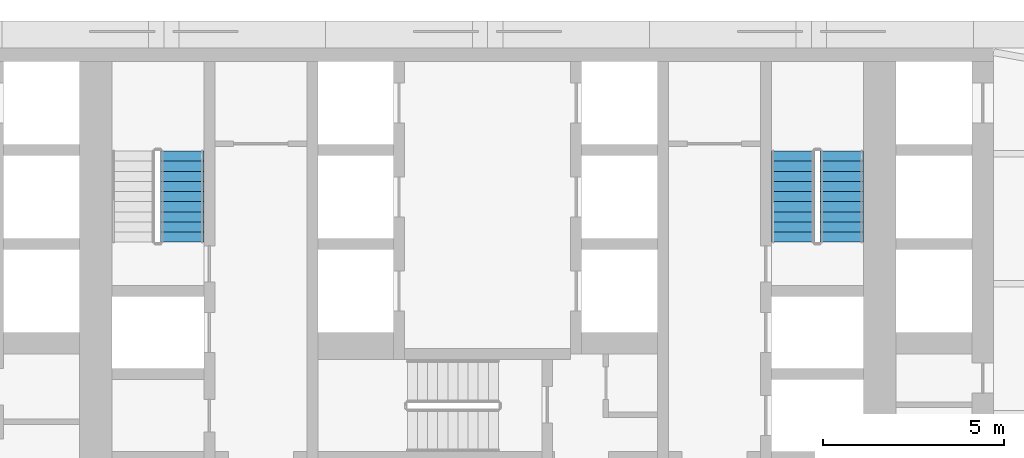
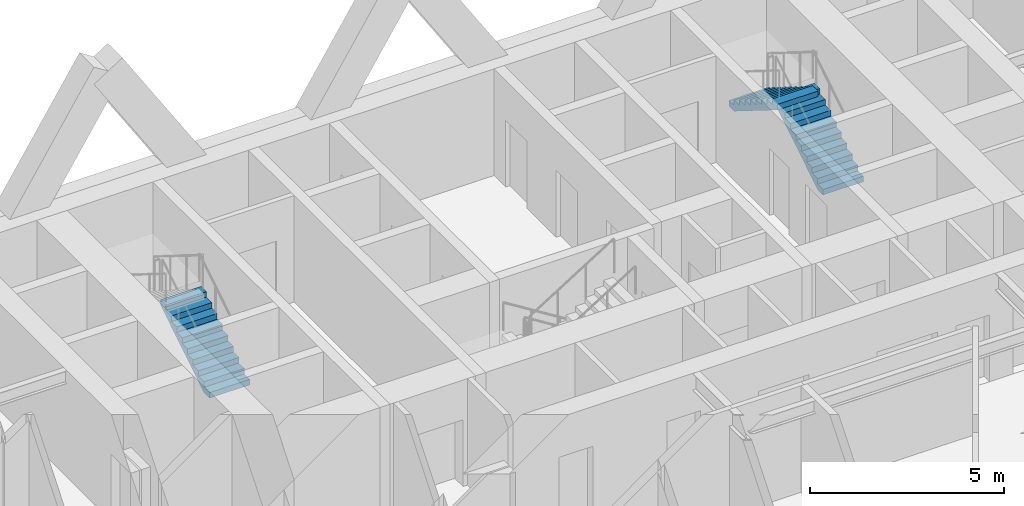
# One storey, part 8 of 11: 3 stair flights, 2 elements without a shape of their own.
"""IFC4 building model written with IfcOpenShell, lengths in metres."""

from ifc_helpers import new_model, si_unit, direction, frame, origin, place, context, subcontext, project, spatial, polyline, outline, extrude, material, type_object, element, aggregate, save


model = new_model("IFC4")

# Units and contexts
model_context = context("Model", 3, precision=1e-05, world=origin(), true_north=direction((0.0, 1.0)))
body_context = subcontext(model_context, "Body", "Model", "MODEL_VIEW")
ifc_project = project(units=[si_unit("LENGTHUNIT", "METRE"), si_unit("AREAUNIT", "SQUARE_METRE"), si_unit("VOLUMEUNIT", "CUBIC_METRE"), si_unit("PLANEANGLEUNIT", "RADIAN"), si_unit("MASSUNIT", "GRAM", prefix="KILO")], contexts=[model_context])

# Site, building, storey
site_placement = place(None, origin())
site = spatial("IfcSite", under=ifc_project, at=site_placement, CompositionType="ELEMENT")
building_placement = place(site_placement, origin())
building = spatial("IfcBuilding", under=site, at=building_placement, Name="Aloe Facet Convention Tower", CompositionType="ELEMENT")
storey_placement = place(building_placement, frame((0.0, 0.0, 35.0)))
storey = spatial("IfcBuildingStorey", under=building, at=storey_placement, Name="L06", CompositionType="ELEMENT", Elevation=35.0)

# Stair, stair flight
ifc_material_1 = material(Name="Concrete C50/60", Category="concrete")
stair_type = type_object("IfcStairType", Name="CR-ST-20R", PredefinedType="HALF_TURN_STAIR", material=ifc_material_1)
stair_1_placement = place(storey_placement, origin())
stair_1 = element("IfcStair", 1, at=stair_1_placement, inside=storey, type_object=stair_type, Name="L06 Protected exit stair ST1", PredefinedType="HALF_TURN_STAIR")
ifc_material_2 = material(Name="Concrete C50/60", Category="concrete")
stair_flight_type = type_object("IfcStairFlightType", Name="CR-SFL-20R", PredefinedType="STRAIGHT", material=ifc_material_2)
stair_flight_1_placement = place(storey_placement, frame((71.550048828125, 128.949951171875, 0.0), z_axis=(0.0, 0.0, 1.0), x_axis=(0.0, 1.0, 0.0)))
stair_flight_1 = element("IfcStairFlight", 2, at=stair_flight_1_placement, type_object=stair_flight_type, Name="ST1 flight 1", NumberOfRisers=10, NumberOfTreads=9, PredefinedType="STRAIGHT", RiserHeight=0.175, TreadLength=0.28, context=body_context, shape_type="SweptSolid", body=[
    extrude(outline(polyline([(0.0, 0.0), (0.0, 0.175048828125), (0.280029296875, 0.175048828125), (0.280029296875, 0.35009765625), (0.56005859375, 0.35009765625), (0.56005859375, 0.52490234375), (0.840087890625, 0.52490234375), (0.840087890625, 0.699951171875), (1.1201171875, 0.699951171875), (1.1201171875, 0.875), (1.39990234375, 0.875), (1.39990234375, 1.050048828125), (1.679931640625, 1.050048828125), (1.679931640625, 1.22509765625), (1.9599609375, 1.22509765625), (1.9599609375, 1.39990234375), (2.239990234375, 1.39990234375), (2.239990234375, 1.574951171875), (2.52001953125, 1.574951171875), (2.52001953125, 1.75), (2.52001953125, 1.398193359375), (0.28271484375, 0.0), (0.0, 0.0)])), frame((0.0, 0.60009765625, 0.0), z_axis=(0.0, -1.0, 0.0), x_axis=(1.0, 0.0, 0.0)), (0.0, 0.0, 1.0), 1.199951171875),
])
aggregate(stair_1, [stair_flight_1])

# Stair, stair flights
stair_2_placement = place(storey_placement, origin())
stair_2 = element("IfcStair", 3, at=stair_2_placement, inside=storey, type_object=stair_type, Name="L06 Protected exit stair ST2", PredefinedType="HALF_TURN_STAIR")
stair_flight_2_placement = place(storey_placement, frame((89.800048828125, 128.949951171875, 0.0), z_axis=(0.0, 0.0, 1.0), x_axis=(0.0, 1.0, 0.0)))
stair_flight_2 = element("IfcStairFlight", 4, at=stair_flight_2_placement, type_object=stair_flight_type, Name="ST2 flight 1", NumberOfRisers=10, NumberOfTreads=9, PredefinedType="STRAIGHT", RiserHeight=0.175, TreadLength=0.28, context=body_context, shape_type="SweptSolid", body=[
    extrude(outline(polyline([(0.0, 0.0), (0.0, 0.175048828125), (0.280029296875, 0.175048828125), (0.280029296875, 0.35009765625), (0.56005859375, 0.35009765625), (0.56005859375, 0.52490234375), (0.840087890625, 0.52490234375), (0.840087890625, 0.699951171875), (1.1201171875, 0.699951171875), (1.1201171875, 0.875), (1.39990234375, 0.875), (1.39990234375, 1.050048828125), (1.679931640625, 1.050048828125), (1.679931640625, 1.22509765625), (1.9599609375, 1.22509765625), (1.9599609375, 1.39990234375), (2.239990234375, 1.39990234375), (2.239990234375, 1.574951171875), (2.52001953125, 1.574951171875), (2.52001953125, 1.75), (2.52001953125, 1.398193359375), (0.28271484375, 0.0), (0.0, 0.0)])), frame((0.0, 0.60009765625, 0.0), z_axis=(0.0, -1.0, 0.0), x_axis=(1.0, 0.0, 0.0)), (0.0, 0.0, 1.0), 1.199951171875),
])
stair_flight_3_placement = place(storey_placement, frame((88.449951171875, 131.469970703125, 1.75), z_axis=(0.0, 0.0, 1.0), x_axis=(0.0, -1.0, 0.0)))
stair_flight_3 = element("IfcStairFlight", 5, at=stair_flight_3_placement, type_object=stair_flight_type, Name="ST2 flight 2", NumberOfRisers=10, NumberOfTreads=9, PredefinedType="STRAIGHT", RiserHeight=0.175, TreadLength=0.28, context=body_context, shape_type="SweptSolid", body=[
    extrude(outline(polyline([(0.0, 0.0), (0.0, 0.175048828125), (0.280029296875, 0.175048828125), (0.280029296875, 0.35009765625), (0.56005859375, 0.35009765625), (0.56005859375, 0.52490234375), (0.840087890625, 0.52490234375), (0.840087890625, 0.699951171875), (1.1201171875, 0.699951171875), (1.1201171875, 0.875), (1.39990234375, 0.875), (1.39990234375, 1.050048828125), (1.679931640625, 1.050048828125), (1.679931640625, 1.22509765625), (1.9599609375, 1.22509765625), (1.9599609375, 1.39990234375), (2.239990234375, 1.39990234375), (2.239990234375, 1.574951171875), (2.52001953125, 1.574951171875), (2.52001953125, 1.75), (2.52001953125, 1.398193359375), (0.28271484375, 0.0), (0.0, 0.0)])), frame((0.0, 0.60009765625, 0.0), z_axis=(0.0, -1.0, 0.0), x_axis=(1.0, 0.0, 0.0)), (0.0, 0.0, 1.0), 1.199951171875),
])
aggregate(stair_2, [stair_flight_2, stair_flight_3])

save(model, "model.ifc")
